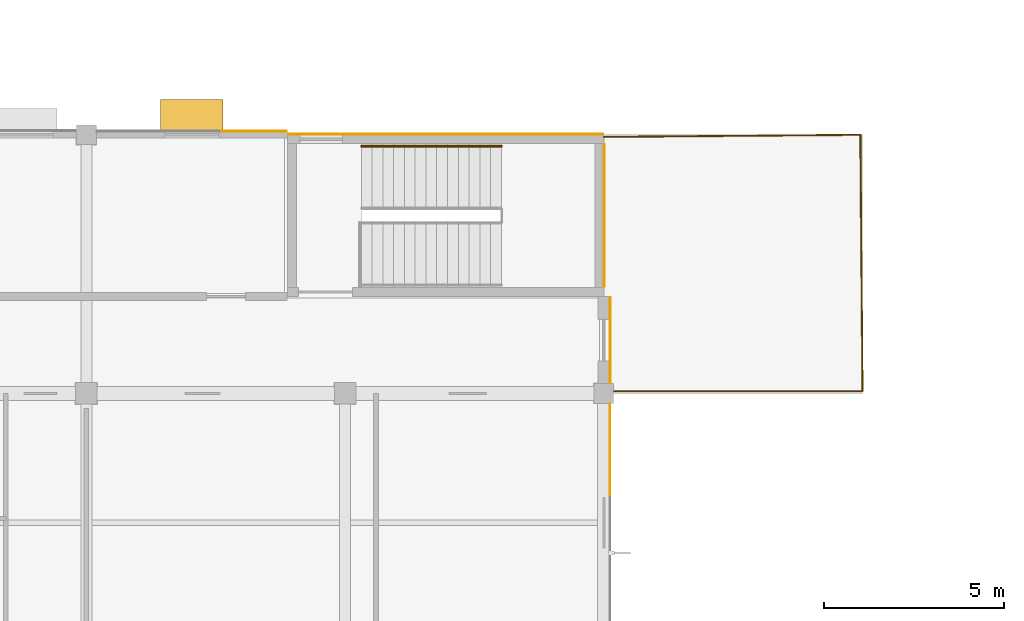
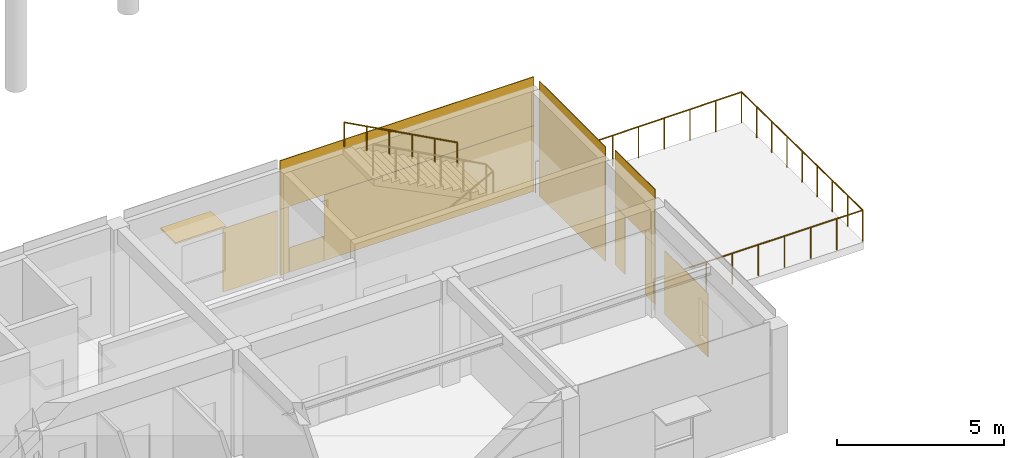
# One storey, part 34 of 41: 10 coverings, 2 railings, 1 shading device.
"""IFC4 building model written with IfcOpenShell, lengths in metres."""

from ifc_helpers import new_model, si_unit, direction, frame, origin, origin_2d, place, context, subcontext, project, spatial, rectangle, circle, extrude, material, layer, layer_set, type_object, element, save


model = new_model("IFC4")

# Units and contexts
model_context = context("Model", 3, precision=1e-05, world=origin(), true_north=direction((0.0, 1.0)))
body_context = subcontext(model_context, "Body", "Model", "MODEL_VIEW")
ifc_project = project(units=[si_unit("LENGTHUNIT", "METRE"), si_unit("AREAUNIT", "SQUARE_METRE"), si_unit("VOLUMEUNIT", "CUBIC_METRE"), si_unit("PLANEANGLEUNIT", "RADIAN"), si_unit("MASSUNIT", "GRAM", prefix="KILO")], contexts=[model_context])

# Site, building, storey
site_placement = place(None, origin())
site = spatial("IfcSite", under=ifc_project, at=site_placement, CompositionType="ELEMENT")
building_placement = place(site_placement, origin())
building = spatial("IfcBuilding", under=site, at=building_placement, Name="Namkhue Oval Health Centre", CompositionType="ELEMENT")
storey_placement = place(building_placement, frame((0.0, 0.0, 13.800048828125)))
storey = spatial("IfcBuildingStorey", under=building, at=storey_placement, Name="L03", CompositionType="ELEMENT", Elevation=13.800048828125)

# Railings
ifc_material_1 = material(Name="Brushed stainless steel 316L balustrade with laminated glass infill", Category="steel")
railing_type_1 = type_object("IfcRailingType", Name="EXTERIOR BALUSTRADE GUARD 1150", PredefinedType="BALUSTRADE", material=ifc_material_1)
railing_1_placement = place(storey_placement, frame((122.39990234375, 21.659912109375, 0.0)))
element("IfcRailing", 1, at=railing_1_placement, inside=storey, type_object=railing_type_1, Name="Volume V5 L03 Terrace Balustrade Guard 1", PredefinedType="BALUSTRADE", context=body_context, shape_type="SweptSolid", body=[
    extrude(circle(Radius=0.02392578125, at=origin_2d()), frame((0.0, 0.0, 1.1259765625), z_axis=(1.0, 0.0, 0.0), x_axis=(0.0, 1.0, 0.0)), (0.0, 0.0, 1.0), 7.2001953125),
    extrude(circle(Radius=0.02392578125, at=origin_2d()), frame((7.2001953125, 0.0, 1.1259765625), z_axis=(-0.008411109143, 0.999964625996, 0.0), x_axis=(-0.999964625996, -0.008411109143, 0.0)), (0.0, 0.0, 1.0), 7.140380859375),
    extrude(circle(Radius=0.02392578125, at=origin_2d()), frame((7.14013671875, 7.14013671875, 1.1259765625), z_axis=(-0.999964625996, -0.008411109143, 0.0), x_axis=(0.008411109143, -0.999964625996, 0.0)), (0.0, 0.0, 1.0), 7.140380859375),
    extrude(circle(Radius=0.02099609375, at=origin_2d()), origin(), (0.0, 0.0, 1.0), 1.101806640625),
    extrude(circle(Radius=0.02099609375, at=origin_2d()), frame((0.89990234375, 0.0, 0.0)), (0.0, 0.0, 1.0), 1.101806640625),
    extrude(circle(Radius=0.02099609375, at=origin_2d()), frame((1.800048828125, 0.0, 0.0)), (0.0, 0.0, 1.0), 1.101806640625),
    extrude(circle(Radius=0.02099609375, at=origin_2d()), frame((2.7001953125, 0.0, 0.0)), (0.0, 0.0, 1.0), 1.101806640625),
    extrude(circle(Radius=0.02099609375, at=origin_2d()), frame((3.60009765625, 0.0, 0.0)), (0.0, 0.0, 1.0), 1.101806640625),
    extrude(circle(Radius=0.02099609375, at=origin_2d()), frame((4.5, 0.0, 0.0)), (0.0, 0.0, 1.0), 1.101806640625),
    extrude(circle(Radius=0.02099609375, at=origin_2d()), frame((5.400146484375, 0.0, 0.0)), (0.0, 0.0, 1.0), 1.101806640625),
    extrude(circle(Radius=0.02099609375, at=origin_2d()), frame((6.30029296875, 0.0, 0.0)), (0.0, 0.0, 1.0), 1.101806640625),
    extrude(circle(Radius=0.02099609375, at=origin_2d()), frame((7.2001953125, 0.0, 0.0)), (0.0, 0.0, 1.0), 1.101806640625),
    extrude(circle(Radius=0.02099609375, at=origin_2d()), frame((7.192626953125, 0.892578125, 0.0)), (0.0, 0.0, 1.0), 1.101806640625),
    extrude(circle(Radius=0.02099609375, at=origin_2d()), frame((7.18505859375, 1.78515625, 0.0)), (0.0, 0.0, 1.0), 1.101806640625),
    extrude(circle(Radius=0.02099609375, at=origin_2d()), frame((7.177734375, 2.677490234375, 0.0)), (0.0, 0.0, 1.0), 1.101806640625),
    extrude(circle(Radius=0.02099609375, at=origin_2d()), frame((7.170166015625, 3.570068359375, 0.0)), (0.0, 0.0, 1.0), 1.101806640625),
    extrude(circle(Radius=0.02099609375, at=origin_2d()), frame((7.16259765625, 4.462646484375, 0.0)), (0.0, 0.0, 1.0), 1.101806640625),
    extrude(circle(Radius=0.02099609375, at=origin_2d()), frame((7.1552734375, 5.35498046875, 0.0)), (0.0, 0.0, 1.0), 1.101806640625),
    extrude(circle(Radius=0.02099609375, at=origin_2d()), frame((7.147705078125, 6.24755859375, 0.0)), (0.0, 0.0, 1.0), 1.101806640625),
    extrude(circle(Radius=0.02099609375, at=origin_2d()), frame((7.14013671875, 7.14013671875, 0.0)), (0.0, 0.0, 1.0), 1.101806640625),
    extrude(circle(Radius=0.02099609375, at=origin_2d()), frame((6.24755859375, 7.132568359375, 0.0)), (0.0, 0.0, 1.0), 1.101806640625),
    extrude(circle(Radius=0.02099609375, at=origin_2d()), frame((5.35498046875, 7.125, 0.0)), (0.0, 0.0, 1.0), 1.101806640625),
    extrude(circle(Radius=0.02099609375, at=origin_2d()), frame((4.462646484375, 7.11767578125, 0.0)), (0.0, 0.0, 1.0), 1.101806640625),
    extrude(circle(Radius=0.02099609375, at=origin_2d()), frame((3.570068359375, 7.110107421875, 0.0)), (0.0, 0.0, 1.0), 1.101806640625),
    extrude(circle(Radius=0.02099609375, at=origin_2d()), frame((2.677490234375, 7.1025390625, 0.0)), (0.0, 0.0, 1.0), 1.101806640625),
    extrude(circle(Radius=0.02099609375, at=origin_2d()), frame((1.78515625, 7.09521484375, 0.0)), (0.0, 0.0, 1.0), 1.101806640625),
    extrude(circle(Radius=0.02099609375, at=origin_2d()), frame((0.892578125, 7.087646484375, 0.0)), (0.0, 0.0, 1.0), 1.101806640625),
    extrude(circle(Radius=0.02099609375, at=origin_2d()), frame((0.0, 7.080078125, 0.0)), (0.0, 0.0, 1.0), 1.101806640625),
])
ifc_material_2 = material(Name="Brushed stainless steel 304 tubular handrail", Category="steel")
railing_type_2 = type_object("IfcRailingType", Name="INTERIOR STAIR HANDRAIL 900", PredefinedType="HANDRAIL", material=ifc_material_2)
railing_2_placement = place(storey_placement, frame((119.550048828125, 28.47998046875, 2.099853515625)))
element("IfcRailing", 2, at=railing_2_placement, inside=storey, type_object=railing_type_2, Name="Stair ST-10 L03 Flight 2 Handrail", PredefinedType="HANDRAIL", context=body_context, shape_type="SweptSolid", body=[
    extrude(circle(Radius=0.02392578125, at=origin_2d()), frame((0.0, 0.0, 0.8759765625), z_axis=(-0.880469330154, 0.0, 0.474103109733), x_axis=(0.0, -1.0, 0.0)), (0.0, 0.0, 1.0), 4.4296875),
    extrude(circle(Radius=0.02099609375, at=origin_2d()), origin(), (0.0, 0.0, 1.0), 0.851806640625),
    extrude(circle(Radius=0.02099609375, at=origin_2d()), frame((-0.780029296875, 0.0, 0.419921875)), (0.0, 0.0, 1.0), 0.851806640625),
    extrude(circle(Radius=0.02099609375, at=origin_2d()), frame((-1.56005859375, 0.0, 0.840087890625)), (0.0, 0.0, 1.0), 0.851806640625),
    extrude(circle(Radius=0.02099609375, at=origin_2d()), frame((-2.340087890625, 0.0, 1.260009765625)), (0.0, 0.0, 1.0), 0.851806640625),
    extrude(circle(Radius=0.02099609375, at=origin_2d()), frame((-3.1201171875, 0.0, 1.68017578125)), (0.0, 0.0, 1.0), 0.851806640625),
    extrude(circle(Radius=0.02099609375, at=origin_2d()), frame((-3.900146484375, 0.0, 2.10009765625)), (0.0, 0.0, 1.0), 0.851806640625),
])

# Shading device
ifc_material_3 = material(Name="Anodised aluminium EN AW-6063 T6", Category="aluminium")
ifc_layer_1 = layer(ifc_material_3, 0.06005859375)
ifc_layer_set_1 = layer_set([ifc_layer_1], Name="Anodised aluminium EN AW-6063 T6")
shading_device_type = type_object("IfcShadingDeviceType", Name="MONSOON SUN LOUVRE 900", PredefinedType="JALOUSIE", material=ifc_layer_set_1)
shading_device_placement = place(storey_placement, frame((110.9345703125, 29.330078125, 2.33984375), z_axis=(0.0, 0.0, 1.0), x_axis=(-1.0, 0.0, 0.0)))
element("IfcShadingDevice", 3, at=shading_device_placement, inside=storey, type_object=shading_device_type, Name="Volume V5 L03 Window Monsoon Louvre 282", PredefinedType="JALOUSIE", context=body_context, shape_type="SweptSolid", body=[
    extrude(rectangle(XDim=1.739990234375, YDim=0.89990234375, at=origin_2d()), origin(), (0.0, 0.0, 1.0), 0.06005859375),
])

# Coverings
ifc_material_4 = material(Name="White glass-fibre reinforced concrete GRC rainscreen cladding", Category="concrete")
ifc_layer_2 = layer(ifc_material_4, 0.02490234375)
ifc_layer_set_2 = layer_set([ifc_layer_2], Name="White glass-fibre reinforced concrete GRC rainscreen cladding")
covering_type = type_object("IfcCoveringType", Name="WHITE GRC RAINSCREEN CLADDING 25", PredefinedType="CLADDING", material=ifc_layer_set_2)
covering_1_placement = place(storey_placement, frame((122.572021484375, 20.011962890625, 0.009765625), z_axis=(0.0, 0.0, 1.0), x_axis=(0.0, 1.0, 0.0)))
element("IfcCovering", 4, at=covering_1_placement, inside=storey, type_object=covering_type, Name="Volume V5 L03 Facade 143 White GRC Cladding 4", PredefinedType="CLADDING", context=body_context, shape_type="SweptSolid", body=[
    extrude(rectangle(XDim=2.593994140625, YDim=0.02490234375, at=origin_2d()), origin(), (0.0, 0.0, 1.0), 2.320068359375),
])
covering_2_placement = place(storey_placement, frame((122.576904296875, 23.08447265625, 2.15478515625), z_axis=(0.0, 0.0, 1.0), x_axis=(0.0, 1.0, 0.0)))
element("IfcCovering", 5, at=covering_2_placement, inside=storey, type_object=covering_type, Name="Volume V5 L03 Facade 144 White GRC Cladding 1", PredefinedType="CLADDING", context=body_context, shape_type="SweptSolid", body=[
    extrude(rectangle(XDim=2.386962890625, YDim=0.02490234375, at=origin_2d()), origin(), (0.0, 0.0, 1.0), 2.034912109375),
])
for number, where, z_axis, x_axis, name in (
    (6, (122.576904296875, 22.190185546875, 0.009765625), (0.0, 0.0, 1.0), (0.0, 1.0, 0.0), "Volume V5 L03 Facade 144 White GRC Cladding 2"),
    (7, (122.576904296875, 23.978759765625, 0.009765625), (0.0, 0.0, 1.0), (0.0, 1.0, 0.0), "Volume V5 L03 Facade 144 White GRC Cladding 3"),
):
    element("IfcCovering", number, at=place(storey_placement, frame(where, z_axis=z_axis, x_axis=x_axis)), inside=storey, type_object=covering_type, Name=name, PredefinedType="CLADDING", context=body_context, shape_type="SweptSolid", body=[
        extrude(rectangle(XDim=0.598388671875, YDim=0.02490234375, at=origin_2d()), origin(), (0.0, 0.0, 1.0), 2.139892578125),
    ])
covering_3_placement = place(storey_placement, frame((112.638916015625, 28.902099609375, 0.009765625), z_axis=(0.0, 0.0, 1.0), x_axis=(-1.0, 0.0, 0.0)))
element("IfcCovering", 8, at=covering_3_placement, inside=storey, type_object=covering_type, Name="Volume V5 L03 Facade 145 White GRC Cladding 2", PredefinedType="CLADDING", context=body_context, shape_type="SweptSolid", body=[
    extrude(rectangle(XDim=1.87841796875, YDim=0.02490234375, at=origin_2d()), origin(), (0.0, 0.0, 1.0), 2.320068359375),
])
covering_4_placement = place(storey_placement, frame((122.412109375, 26.550048828125, 0.009765625), z_axis=(0.0, 0.0, 1.0), x_axis=(0.0, 1.0, 0.0)))
element("IfcCovering", 9, at=covering_4_placement, inside=storey, type_object=covering_type, Name="Core SC-10 L03 Core E White GRC Cladding 1", PredefinedType="CLADDING", context=body_context, shape_type="SweptSolid", body=[
    extrude(rectangle(XDim=3.9599609375, YDim=0.02490234375, at=origin_2d()), origin(), (0.0, 0.0, 1.0), 4.179931640625),
])
covering_5_placement = place(storey_placement, frame((118.0, 28.81201171875, 2.4150390625), z_axis=(0.0, 0.0, 1.0), x_axis=(-1.0, 0.0, 0.0)))
element("IfcCovering", 10, at=covering_5_placement, inside=storey, type_object=covering_type, Name="Core SC-10 L03 Core N White GRC Cladding 1", PredefinedType="CLADDING", context=body_context, shape_type="SweptSolid", body=[
    extrude(rectangle(XDim=8.760009765625, YDim=0.02490234375, at=origin_2d()), origin(), (0.0, 0.0, 1.0), 1.77490234375),
])
covering_6_placement = place(storey_placement, frame((118.762451171875, 28.81201171875, 0.010009765625), z_axis=(0.0, 0.0, 1.0), x_axis=(-1.0, 0.0, 0.0)))
element("IfcCovering", 11, at=covering_6_placement, inside=storey, type_object=covering_type, Name="Core SC-10 L03 Core N White GRC Cladding 2", PredefinedType="CLADDING", context=body_context, shape_type="SweptSolid", body=[
    extrude(rectangle(XDim=7.235107421875, YDim=0.02490234375, at=origin_2d()), origin(), (0.0, 0.0, 1.0), 2.39990234375),
])
covering_7_placement = place(storey_placement, frame((114.5400390625, 28.81201171875, 0.010009765625), z_axis=(0.0, 0.0, 1.0), x_axis=(-1.0, 0.0, 0.0)))
element("IfcCovering", 12, at=covering_7_placement, inside=storey, type_object=covering_type, Name="Core SC-10 L03 Core N White GRC Cladding 3", PredefinedType="CLADDING", context=body_context, shape_type="SweptSolid", body=[
    extrude(rectangle(XDim=1.199951171875, YDim=0.02490234375, at=origin_2d()), origin(), (0.0, 0.0, 1.0), 0.89501953125),
])
covering_8_placement = place(storey_placement, frame((113.777587890625, 28.81201171875, 0.010009765625), z_axis=(0.0, 0.0, 1.0), x_axis=(-1.0, 0.0, 0.0)))
element("IfcCovering", 13, at=covering_8_placement, inside=storey, type_object=covering_type, Name="Core SC-10 L03 Core N White GRC Cladding 4", PredefinedType="CLADDING", context=body_context, shape_type="SweptSolid", body=[
    extrude(rectangle(XDim=0.31494140625, YDim=0.02490234375, at=origin_2d()), origin(), (0.0, 0.0, 1.0), 2.39990234375),
])

save(model, "model.ifc")
